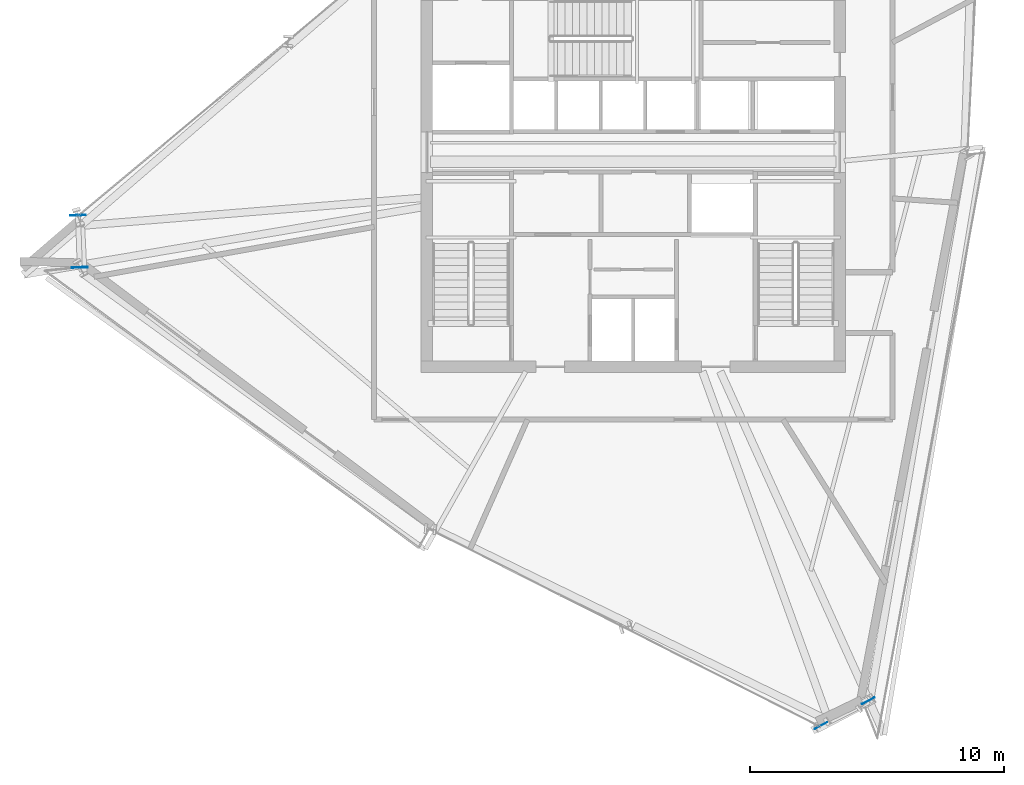
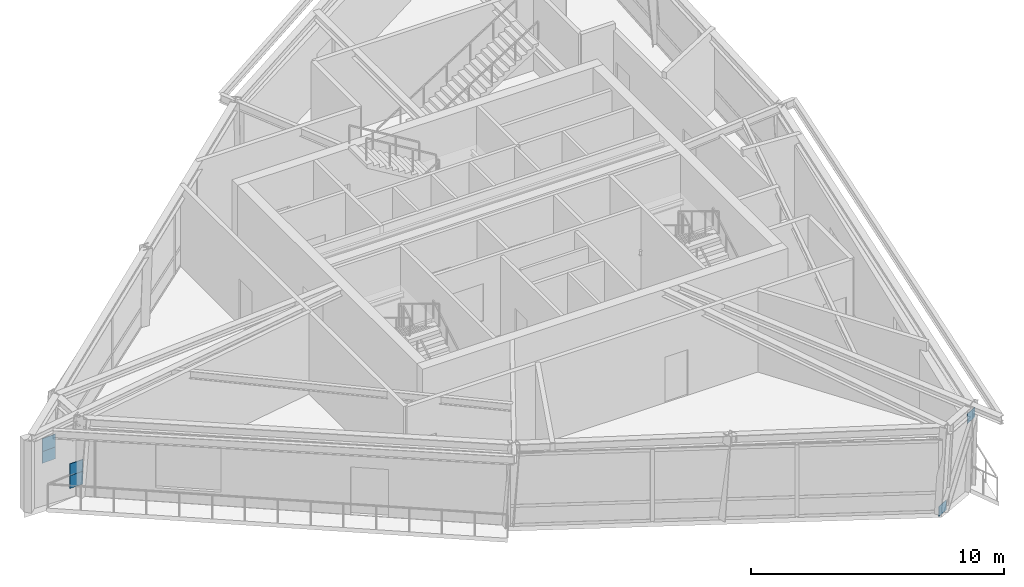
# One storey, part 14 of 21: 6 plates.
"""IFC4 building model written with IfcOpenShell, lengths in metres."""

import ifcopenshell
import ifcopenshell.guid

model = None  # the IFC model being written
_history = None  # IfcOwnerHistory: only IFC2X3 demands one
_inside = {}  # id of a spatial element -> (the spatial element, [elements in it])
_under = {}  # id of a project, library or spatial element -> (it, [spatial elements below it])
_declared = {}  # id of a project -> (the project, [libraries it declares])
_typed = {}  # id of a type object -> (the type object, [elements of that type])
_made_of = {}  # id of a material, layer set ... -> (it, [elements and type objects made of it])


def new_model(schema):
    """Start an empty IFC model of exactly this schema.

    Asked for "IFC4X3", IfcOpenShell would pick the latest addendum, in which some entities
    have other attributes; the version numbers below select the first issue.
    IFC2X3 requires an IfcOwnerHistory on every rooted entity: one is made here for all.
    """
    global model, _history
    if schema == "IFC4X3":
        model = ifcopenshell.file(schema_version=(4, 3, 0, 0))
    else:
        model = ifcopenshell.file(schema=schema)
    _inside.clear()
    _under.clear()
    _declared.clear()
    _typed.clear()
    _made_of.clear()
    _history = None
    if model.schema == "IFC2X3":
        org = make("IfcOrganization", Name="unknown")
        user = make(
            "IfcPersonAndOrganization",
            ThePerson=make("IfcPerson", FamilyName="unknown"),
            TheOrganization=org,
        )
        app = make(
            "IfcApplication",
            ApplicationDeveloper=org,
            Version="unknown",
            ApplicationFullName="unknown",
            ApplicationIdentifier="unknown",
        )
        _history = make(
            "IfcOwnerHistory",
            OwningUser=user,
            OwningApplication=app,
            ChangeAction="ADDED",
            CreationDate=0,
        )
    return model


def make(cls, **values):
    """One entity of the class cls with the attributes given. An attribute that is None is left unset."""
    return model.create_entity(
        cls, **{name: value for name, value in values.items() if value is not None}
    )


def rooted(cls, **values):
    """An entity with a GlobalId (a new one), such as an element, a storey or a relation."""
    return make(cls, GlobalId=ifcopenshell.guid.new(), OwnerHistory=_history, **values)


def si_unit(unit_type, name, prefix=None):
    """IfcSIUnit, for example si_unit("LENGTHUNIT", "METRE", prefix="MILLI")."""
    return make("IfcSIUnit", UnitType=unit_type, Prefix=prefix, Name=name)


def assignment(units):
    """IfcUnitAssignment: the units of a project."""
    return None if units is None else make("IfcUnitAssignment", Units=units)


def point(xyz):
    """IfcCartesianPoint."""
    return None if xyz is None else make("IfcCartesianPoint", Coordinates=xyz)


def direction(xyz):
    """IfcDirection."""
    return None if xyz is None else make("IfcDirection", DirectionRatios=xyz)


def frame(location, z_axis=None, x_axis=None):
    """IfcAxis2Placement3D, a coordinate frame: its origin and axes. An axis left out is left unset."""
    return make(
        "IfcAxis2Placement3D",
        Location=point(location),
        Axis=direction(z_axis),
        RefDirection=direction(x_axis),
    )


def frame_2d(location, x_axis=None):
    """IfcAxis2Placement2D, a coordinate frame in the plane: its origin and x axis."""
    return make(
        "IfcAxis2Placement2D", Location=point(location), RefDirection=direction(x_axis)
    )


def origin():
    """The frame at (0, 0, 0) with its axes left unset."""
    return frame((0.0, 0.0, 0.0))


def origin_2d():
    """The frame at (0, 0) in the plane with its x axis left unset."""
    return frame_2d((0.0, 0.0))


def place(relative_to, where):
    """IfcLocalPlacement: puts the frame where relative to a parent placement (None: the world)."""
    return make(
        "IfcLocalPlacement", PlacementRelTo=relative_to, RelativePlacement=where
    )


def context(
    kind, dimensions, precision=None, world=None, true_north=None, identifier=None
):
    """IfcGeometricRepresentationContext, for example the 3D "Model" context."""
    return make(
        "IfcGeometricRepresentationContext",
        ContextIdentifier=identifier,
        ContextType=kind,
        CoordinateSpaceDimension=dimensions,
        Precision=precision,
        WorldCoordinateSystem=world,
        TrueNorth=true_north,
    )


def subcontext(parent, identifier, kind, view, scale=None):
    """IfcGeometricRepresentationSubContext, for example "Body" below "Model"."""
    return make(
        "IfcGeometricRepresentationSubContext",
        ContextIdentifier=identifier,
        ContextType=kind,
        ParentContext=parent,
        TargetScale=scale,
        TargetView=view,
    )


def project(units=None, contexts=None):
    """IfcProject with its units and contexts."""
    return rooted(
        "IfcProject",
        Name="project",
        RepresentationContexts=contexts,
        UnitsInContext=assignment(units),
    )


def spatial(cls, under=None, at=None, **own):
    """A site, building, storey or space (cls), placed at a placement, below another one or the project."""
    s = rooted(cls, ObjectPlacement=at, **own)
    if under is not None:
        _under.setdefault(under.id(), (under, []))[1].append(s)
    return s


def profile(cls, at=None, kind="AREA", **sizes):
    """A parametric profile (cls). Its sizes go by their IFC names, for example OverallWidth=200.0."""
    return make(cls, ProfileType=kind, Position=at, **sizes)


def rectangle(**sizes):
    """IfcRectangleProfileDef."""
    return profile("IfcRectangleProfileDef", **sizes)


def extrude(swept, where, along, depth):
    """IfcExtrudedAreaSolid: the profile swept, set in the frame where, extruded along a direction by depth."""
    return make(
        "IfcExtrudedAreaSolid",
        SweptArea=swept,
        Position=where,
        ExtrudedDirection=direction(along),
        Depth=depth,
    )


def shape(context_of_items, identifier, shape_type, items):
    """IfcShapeRepresentation: the items that make up one representation, for example the "Body"."""
    return make(
        "IfcShapeRepresentation",
        ContextOfItems=context_of_items,
        RepresentationIdentifier=identifier,
        RepresentationType=shape_type,
        Items=items,
    )


def source(mapping_origin, context_of_items, identifier, shape_type, items):
    """IfcRepresentationMap: a shape defined once, which mapped items show again and again."""
    return make(
        "IfcRepresentationMap",
        MappingOrigin=mapping_origin,
        MappedRepresentation=shape(context_of_items, identifier, shape_type, items),
    )


def transform(
    local_origin,
    x_axis=None,
    y_axis=None,
    z_axis=None,
    scale=None,
    scale2=None,
    scale3=None,
    uniform=True,
):
    """IfcCartesianTransformationOperator3D, or its non-uniform kind. x_axis, y_axis, z_axis: its Axis1, 2, 3."""
    if uniform:
        return make(
            "IfcCartesianTransformationOperator3D",
            Axis1=direction(x_axis),
            Axis2=direction(y_axis),
            LocalOrigin=point(local_origin),
            Scale=scale,
            Axis3=direction(z_axis),
        )
    return make(
        "IfcCartesianTransformationOperator3DnonUniform",
        Axis1=direction(x_axis),
        Axis2=direction(y_axis),
        LocalOrigin=point(local_origin),
        Scale=scale,
        Axis3=direction(z_axis),
        Scale2=scale2,
        Scale3=scale3,
    )


def mapped(mapping_source, mapping_target):
    """IfcMappedItem: shows the shape of a source again, moved by a transform."""
    return make(
        "IfcMappedItem", MappingSource=mapping_source, MappingTarget=mapping_target
    )


def material(Name=None, Category=None):
    """IfcMaterial."""
    return make("IfcMaterial", Name=Name, Category=Category)


def made_of(thing, what):
    """Note that an element or type object is made of a material, layer set ...; save() writes the relation."""
    if what is not None:
        _made_of.setdefault(what.id(), (what, []))[1].append(thing)
    return thing


def type_object(cls, material=None, **own):
    """A type object (cls), such as IfcWallType, which elements share."""
    return made_of(rooted(cls, **own), material)


def element(
    cls,
    number,
    at=None,
    inside=None,
    cuts=None,
    type_object=None,
    material=None,
    context=None,
    identifier="Body",
    shape_type=None,
    held_by="IfcProductDefinitionShape",
    body=None,
    shapes=None,
    **own,
):
    """One element of the class cls, such as IfcWall. Its Tag is "e" and its number.

    at: its placement. inside: the storey or other place that contains it. cuts: it is an
    opening in that element (IfcRelVoidsElement). A single representation is given by context,
    identifier, shape_type and body (its items); several are given by shapes. held_by: the class
    of the entity that holds the representations. save() writes the other relations.
    """
    e = rooted(cls, Tag="e%d" % number, ObjectPlacement=at, **own)
    if body is not None:
        shapes = [shape(context, identifier, shape_type, body)]
    if shapes is not None:
        e.Representation = make(held_by, Representations=shapes)
    if inside is not None:
        _inside.setdefault(inside.id(), (inside, []))[1].append(e)
    if cuts is not None:
        rooted(
            "IfcRelVoidsElement", RelatingBuildingElement=cuts, RelatedOpeningElement=e
        )
    if type_object is not None:
        _typed.setdefault(type_object.id(), (type_object, []))[1].append(e)
    return made_of(e, material)


def aggregate(whole, parts):
    """IfcRelAggregates: a whole, such as a stair, and the parts it consists of."""
    return rooted("IfcRelAggregates", RelatingObject=whole, RelatedObjects=parts)


def save(model, path):
    """Write the relations noted so far, then the file.

    IfcRelAggregates (storeys below a building ...), IfcRelContainedInSpatialStructure (elements
    in a storey), IfcRelDefinesByType, IfcRelAssociatesMaterial and IfcRelDeclares: one each for
    every whole, place, type object, material and project.
    """
    for whole, parts in _under.values():
        aggregate(whole, parts)
    for where, things in _inside.values():
        rooted(
            "IfcRelContainedInSpatialStructure",
            RelatedElements=things,
            RelatingStructure=where,
        )
    for kind, things in _typed.values():
        rooted("IfcRelDefinesByType", RelatedObjects=things, RelatingType=kind)
    for what, things in _made_of.values():
        rooted("IfcRelAssociatesMaterial", RelatedObjects=things, RelatingMaterial=what)
    for by, libraries in _declared.values():
        rooted("IfcRelDeclares", RelatingContext=by, RelatedDefinitions=libraries)
    model.write(path)


model = new_model("IFC4")

# Units and contexts
model_context = context("Model", 3, precision=1e-05, world=origin(), true_north=direction((0.0, 1.0)))
body_context = subcontext(model_context, "Body", "Model", "MODEL_VIEW")
ifc_project = project(units=[si_unit("LENGTHUNIT", "METRE"), si_unit("AREAUNIT", "SQUARE_METRE"), si_unit("VOLUMEUNIT", "CUBIC_METRE"), si_unit("PLANEANGLEUNIT", "RADIAN"), si_unit("MASSUNIT", "GRAM", prefix="KILO")], contexts=[model_context])

# Site, building, storey
site_placement = place(None, origin())
site = spatial("IfcSite", under=ifc_project, at=site_placement, CompositionType="ELEMENT")
building_placement = place(site_placement, origin())
building = spatial("IfcBuilding", under=site, at=building_placement, Name="Olszyna Solenne Hotel", CompositionType="ELEMENT")
storey_placement = place(building_placement, frame((0.0, 0.0, 277.699951171875)))
storey = spatial("IfcBuildingStorey", under=building, at=storey_placement, Name="L74", CompositionType="ELEMENT", Elevation=277.699951171875)

# Plates
ifc_material_1 = material(Name="Steel S460M", Category="steel")
plate_type_1 = type_object("IfcPlateType", Name="GP-CAP2", PredefinedType="USERDEFINED", material=ifc_material_1)
shared_shape_1 = source(origin(), body_context, "Body", "SweptSolid", [
    extrude(rectangle(XDim=0.030029296875, YDim=0.6201171875, at=origin_2d()), origin(), (0.0, 0.0, 1.0), 0.6201171875),
])
for number, where, z_axis, x_axis, name in (
    (1, (16.14404296875, 25.24169921875, 1.0400390625), (0.0, 0.0, 1.0), (0.034899496703, -0.999390827019, 0.0), "Hollow section end-cap plate GP-CAP2 CP-PR-M-L74-PR1-1"),
    (2, (16.2158203125, 23.188720703125, 1.0400390625), (0.0, 0.0, 1.0), (0.034899496703, -0.999390827019, 0.0), "Hollow section end-cap plate GP-CAP2 CP-PR-M-L74-PR1-2"),
    (3, (16.14404296875, 25.24169921875, 0.469970703125), (0.0, 0.0, 1.0), (0.034899496703, -0.999390827019, 0.0), "Hollow section end-cap plate GP-CAP2 CP-PR-M-L74-PR2-1"),
    (4, (16.2158203125, 23.188720703125, 0.469970703125), (0.0, 0.0, 1.0), (0.034899496703, -0.999390827019, 0.0), "Hollow section end-cap plate GP-CAP2 CP-PR-M-L74-PR2-2"),
):
    element("IfcPlate", number, at=place(storey_placement, frame(where, z_axis=z_axis, x_axis=x_axis)), inside=storey, type_object=plate_type_1, Name=name, ObjectType="GUSSET_PLATE", PredefinedType="USERDEFINED", context=body_context, shape_type="MappedRepresentation", body=[
        mapped(shared_shape_1, transform((0.0, 0.0, 0.0), x_axis=(1.0, 0.0, 0.0), y_axis=(0.0, 1.0, 0.0), z_axis=(0.0, 0.0, 1.0), scale=1.0)),
    ])
ifc_material_2 = material(Name="Steel S355J2", Category="steel")
plate_type_2 = type_object("IfcPlateType", Name="GP-ND2", PredefinedType="USERDEFINED", material=ifc_material_2)
shared_shape_2 = source(origin(), body_context, "Body", "SweptSolid", [
    extrude(rectangle(XDim=0.56005859375, YDim=0.02001953125, at=origin_2d()), origin(), (0.0, 0.0, 1.0), 0.47998046875),
])
for number, where, z_axis, x_axis, name in (
    (5, (45.38818359375, 5.15869140625, -0.112548828125), (0.0, 0.0, 1.0), (0.886041804419, 0.463605350294, 0.0), "Brace end connection gusset plate GP-ND2 EP-BR-L74-3-1"),
    (6, (47.24853515625, 6.1318359375, 3.12158203125), (0.0, 0.0, 1.0), (0.886041804419, 0.463605350294, 0.0), "Brace end connection gusset plate GP-ND2 EP-BR-L74-3-2"),
):
    element("IfcPlate", number, at=place(storey_placement, frame(where, z_axis=z_axis, x_axis=x_axis)), inside=storey, type_object=plate_type_2, Name=name, ObjectType="GUSSET_PLATE", PredefinedType="USERDEFINED", context=body_context, shape_type="MappedRepresentation", body=[
        mapped(shared_shape_2, transform((0.0, 0.0, 0.0), x_axis=(1.0, 0.0, 0.0), y_axis=(0.0, 1.0, 0.0), z_axis=(0.0, 0.0, 1.0), scale=1.0)),
    ])

save(model, "model.ifc")
